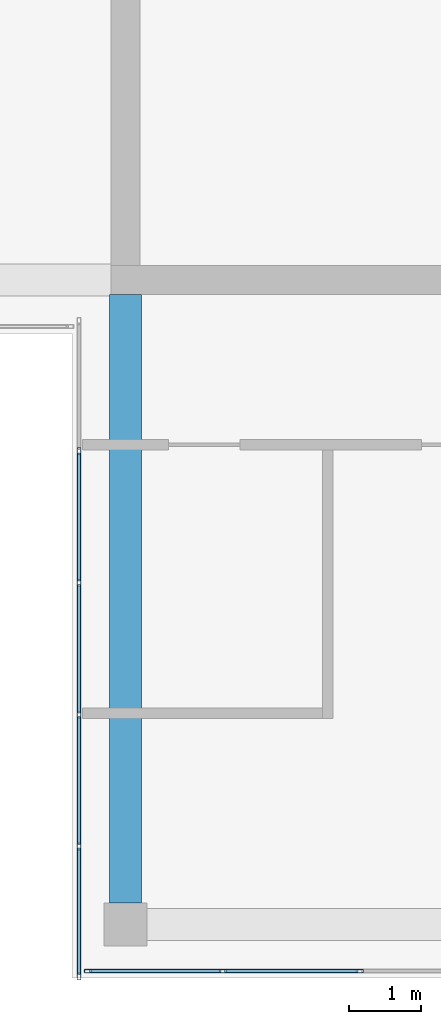
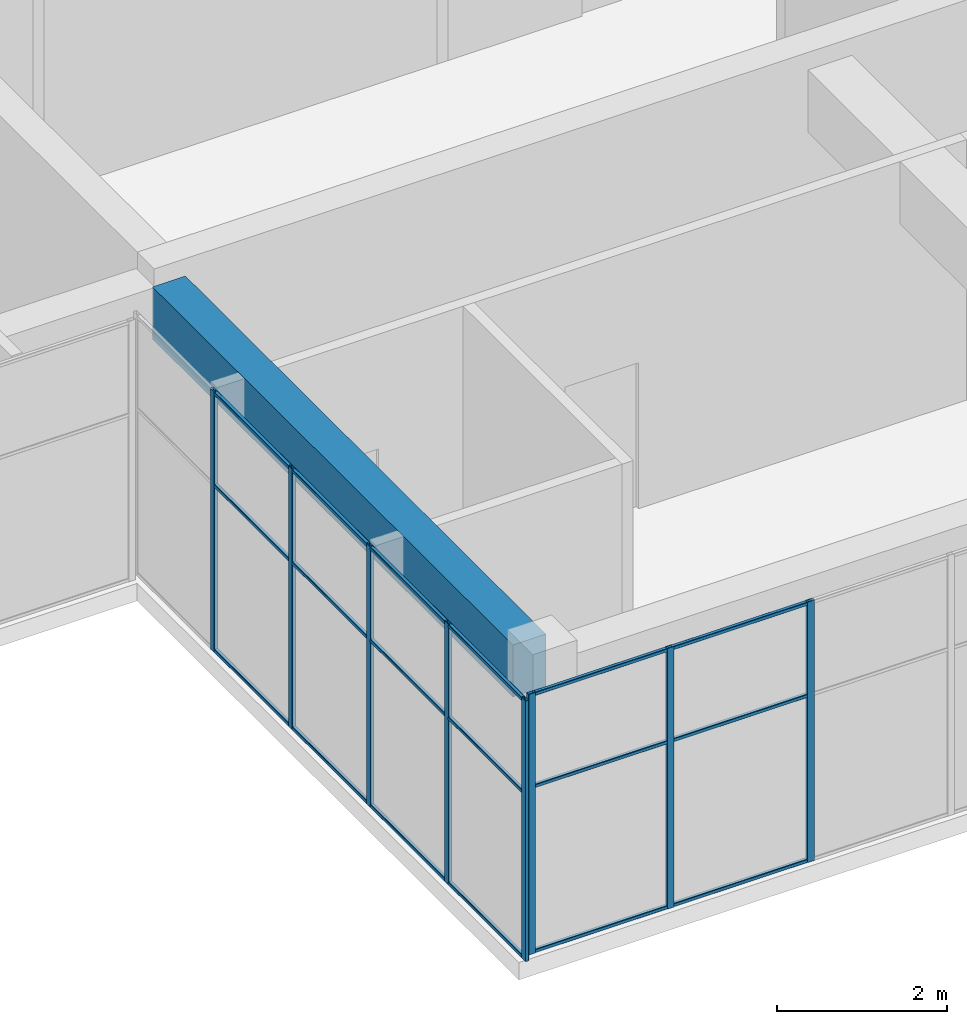
# One storey, part 2 of 35: 26 members, 1 beam, 2 elements without a shape of their own.
"""IFC4 building model written with IfcOpenShell, lengths in metres."""

from ifc_helpers import new_model, si_unit, direction, frame, origin, origin_2d, place, context, subcontext, project, spatial, rectangle, hollow_rectangle, extrude, material, layer, layer_set, material_profile, profile_set, type_object, element, aggregate, save


model = new_model("IFC4")

# Units and contexts
model_context = context("Model", 3, precision=1e-05, world=origin(), true_north=direction((0.0, 1.0)))
body_context = subcontext(model_context, "Body", "Model", "MODEL_VIEW")
ifc_project = project(units=[si_unit("LENGTHUNIT", "METRE"), si_unit("AREAUNIT", "SQUARE_METRE"), si_unit("VOLUMEUNIT", "CUBIC_METRE"), si_unit("PLANEANGLEUNIT", "RADIAN"), si_unit("MASSUNIT", "GRAM", prefix="KILO")], contexts=[model_context])

# Site, building, storey
site_placement = place(None, origin())
site = spatial("IfcSite", under=ifc_project, at=site_placement, CompositionType="ELEMENT")
building_placement = place(site_placement, origin())
building = spatial("IfcBuilding", under=site, at=building_placement, Name="Tuart Plaza Theatre", CompositionType="ELEMENT")
storey_placement = place(building_placement, frame((0.0, 0.0, 45.5)))
storey = spatial("IfcBuildingStorey", under=building, at=storey_placement, Name="L11", CompositionType="ELEMENT", Elevation=45.5)

# Beam
ifc_material_1 = material(Name="Concrete N40 (40 MPa)", Category="concrete")
ifc_material_profile_1 = material_profile(ifc_material_1, rectangle(XDim=0.449951171875, YDim=0.75, at=origin_2d()), Name="BEAM 450x750 Concrete N40 (40 MPa)")
ifc_profile_set_1 = profile_set([ifc_material_profile_1], Name="Concrete N40 (40 MPa)")
beam_type = type_object("IfcBeamType", Name="BEAM 450x750 Concrete N40 (40 MPa)", PredefinedType="BEAM", material=ifc_profile_set_1)
beam_placement = place(storey_placement, frame((123.0, 56.300048828125, 3.375), z_axis=(0.0, 1.0, 0.0), x_axis=(-1.0, 0.0, 0.0)))
element("IfcBeam", 1, at=beam_placement, inside=storey, type_object=beam_type, Name="RB296", PredefinedType="BEAM", context=body_context, shape_type="SweptSolid", body=[
    extrude(rectangle(XDim=0.449951171875, YDim=0.75, at=origin_2d()), origin(), (0.0, 0.0, 1.0), 8.5),
])

# Curtain wall, members
ifc_material_2 = material(Name="Aluminium and glass", Category="aluminium")
ifc_layer = layer(ifc_material_2, 0.10009765625)
ifc_layer_set = layer_set([ifc_layer], Name="CURTAIN WALL 2000 module")
curtain_wall_type = type_object("IfcCurtainWallType", Name="CURTAIN WALL 2000 module", PredefinedType="NOTDEFINED", material=ifc_layer_set)
curtain_wall_1_placement = place(storey_placement, origin())
curtain_wall_1 = element("IfcCurtainWall", 2, at=curtain_wall_1_placement, inside=storey, type_object=curtain_wall_type, Name="CW110", PredefinedType="NOTDEFINED")
ifc_material_3 = material(Name="Aluminium 6063-T5", Category="aluminium")
ifc_material_profile_2 = material_profile(ifc_material_3, hollow_rectangle(XDim=0.050048828125, YDim=0.10009765625, WallThickness=0.00390625, InnerFilletRadius=0.00390625, OuterFilletRadius=0.008056640625, at=origin_2d()), Name="RHS 100x50x4")
ifc_profile_set_2 = profile_set([ifc_material_profile_2], Name="Aluminium 6063-T5")
member_type_1 = type_object("IfcMemberType", Name="MULLION RHS 100x50x4", PredefinedType="MULLION", material=ifc_profile_set_2)
member_1_placement = place(storey_placement, frame((122.35009765625, 62.610107421875, 0.0), z_axis=(0.0, 0.0, 1.0), x_axis=(1.0, 0.0, 0.0)))
member_1 = element("IfcMember", 3, at=member_1_placement, type_object=member_type_1, Name="CW110 mullion 2", PredefinedType="MULLION", context=body_context, shape_type="SweptSolid", body=[
    extrude(hollow_rectangle(XDim=0.050048828125, YDim=0.10009765625, WallThickness=0.00390625, InnerFilletRadius=0.00390625, OuterFilletRadius=0.008056640625, at=origin_2d()), origin(), (0.0, 0.0, 1.0), 3.75),
])
member_2_placement = place(storey_placement, frame((122.35009765625, 60.77001953125, 0.0), z_axis=(0.0, 0.0, 1.0), x_axis=(1.0, 0.0, 0.0)))
member_2 = element("IfcMember", 4, at=member_2_placement, type_object=member_type_1, Name="CW110 mullion 3", PredefinedType="MULLION", context=body_context, shape_type="SweptSolid", body=[
    extrude(hollow_rectangle(XDim=0.050048828125, YDim=0.10009765625, WallThickness=0.00390625, InnerFilletRadius=0.00390625, OuterFilletRadius=0.008056640625, at=origin_2d()), origin(), (0.0, 0.0, 1.0), 3.75),
])
member_3_placement = place(storey_placement, frame((122.35009765625, 58.929931640625, 0.0), z_axis=(0.0, 0.0, 1.0), x_axis=(1.0, 0.0, 0.0)))
member_3 = element("IfcMember", 5, at=member_3_placement, type_object=member_type_1, Name="CW110 mullion 4", PredefinedType="MULLION", context=body_context, shape_type="SweptSolid", body=[
    extrude(hollow_rectangle(XDim=0.050048828125, YDim=0.10009765625, WallThickness=0.00390625, InnerFilletRadius=0.00390625, OuterFilletRadius=0.008056640625, at=origin_2d()), origin(), (0.0, 0.0, 1.0), 3.75),
])
member_4_placement = place(storey_placement, frame((122.35009765625, 57.090087890625, 0.0), z_axis=(0.0, 0.0, 1.0), x_axis=(1.0, 0.0, 0.0)))
member_4 = element("IfcMember", 6, at=member_4_placement, type_object=member_type_1, Name="CW110 mullion 5", PredefinedType="MULLION", context=body_context, shape_type="SweptSolid", body=[
    extrude(hollow_rectangle(XDim=0.050048828125, YDim=0.10009765625, WallThickness=0.00390625, InnerFilletRadius=0.00390625, OuterFilletRadius=0.008056640625, at=origin_2d()), origin(), (0.0, 0.0, 1.0), 3.75),
])
member_5_placement = place(storey_placement, frame((122.35009765625, 55.27490234375, 0.0), z_axis=(0.0, 0.0, 1.0), x_axis=(1.0, 0.0, 0.0)))
member_5 = element("IfcMember", 7, at=member_5_placement, type_object=member_type_1, Name="CW110 mullion 6", PredefinedType="MULLION", context=body_context, shape_type="SweptSolid", body=[
    extrude(hollow_rectangle(XDim=0.050048828125, YDim=0.10009765625, WallThickness=0.00390625, InnerFilletRadius=0.00390625, OuterFilletRadius=0.008056640625, at=origin_2d()), origin(), (0.0, 0.0, 1.0), 3.75),
])

curtain_wall_2_placement = place(storey_placement, origin())
curtain_wall_2 = element("IfcCurtainWall", 8, at=curtain_wall_2_placement, inside=storey, type_object=curtain_wall_type, Name="CW111", PredefinedType="NOTDEFINED")
member_6_placement = place(storey_placement, frame((122.47509765625, 55.35009765625, 0.0), z_axis=(0.0, 0.0, 1.0), x_axis=(0.0, 1.0, 0.0)))
member_6 = element("IfcMember", 9, at=member_6_placement, type_object=member_type_1, Name="CW111 mullion 1", PredefinedType="MULLION", context=body_context, shape_type="SweptSolid", body=[
    extrude(hollow_rectangle(XDim=0.050048828125, YDim=0.10009765625, WallThickness=0.00390625, InnerFilletRadius=0.00390625, OuterFilletRadius=0.008056640625, at=origin_2d()), origin(), (0.0, 0.0, 1.0), 3.75),
])
member_7_placement = place(storey_placement, frame((124.360107421875, 55.35009765625, 0.0), z_axis=(0.0, 0.0, 1.0), x_axis=(0.0, 1.0, 0.0)))
member_7 = element("IfcMember", 10, at=member_7_placement, type_object=member_type_1, Name="CW111 mullion 2", PredefinedType="MULLION", context=body_context, shape_type="SweptSolid", body=[
    extrude(hollow_rectangle(XDim=0.050048828125, YDim=0.10009765625, WallThickness=0.00390625, InnerFilletRadius=0.00390625, OuterFilletRadius=0.008056640625, at=origin_2d()), origin(), (0.0, 0.0, 1.0), 3.75),
])
member_8_placement = place(storey_placement, frame((126.27001953125, 55.35009765625, 0.0), z_axis=(0.0, 0.0, 1.0), x_axis=(0.0, 1.0, 0.0)))
member_8 = element("IfcMember", 11, at=member_8_placement, type_object=member_type_1, Name="CW111 mullion 3", PredefinedType="MULLION", context=body_context, shape_type="SweptSolid", body=[
    extrude(hollow_rectangle(XDim=0.050048828125, YDim=0.10009765625, WallThickness=0.00390625, InnerFilletRadius=0.00390625, OuterFilletRadius=0.008056640625, at=origin_2d()), origin(), (0.0, 0.0, 1.0), 3.75),
])

# Member
ifc_material_4 = material(Name="Aluminium 6063-T5", Category="aluminium")
ifc_material_profile_3 = material_profile(ifc_material_4, hollow_rectangle(XDim=0.050048828125, YDim=0.050048828125, WallThickness=0.00390625, InnerFilletRadius=0.00390625, OuterFilletRadius=0.008056640625, at=origin_2d()), Name="RHS 50x50x4")
ifc_profile_set_3 = profile_set([ifc_material_profile_3], Name="Aluminium 6063-T5")
member_type_2 = type_object("IfcMemberType", Name="TRANSOM RHS 50x50x4", PredefinedType="USERDEFINED", material=ifc_profile_set_3)
member_9_placement = place(storey_placement, frame((122.35009765625, 62.5849609375, 0.02490234375), z_axis=(0.0, -1.0, 0.0), x_axis=(1.0, 0.0, 0.0)))
member_9 = element("IfcMember", 12, at=member_9_placement, type_object=member_type_2, Name="CW110 transom 2.1", ObjectType="TRANSOM", PredefinedType="USERDEFINED", context=body_context, shape_type="SweptSolid", body=[
    extrude(hollow_rectangle(XDim=0.050048828125, YDim=0.050048828125, WallThickness=0.00390625, InnerFilletRadius=0.00390625, OuterFilletRadius=0.008056640625, at=origin_2d()), origin(), (0.0, 0.0, 1.0), 1.7900390625),
])

member_10_placement = place(storey_placement, frame((122.35009765625, 62.5849609375, 2.39990234375), z_axis=(0.0, -1.0, 0.0), x_axis=(1.0, 0.0, 0.0)))
member_10 = element("IfcMember", 13, at=member_10_placement, type_object=member_type_2, Name="CW110 transom 2.2", ObjectType="TRANSOM", PredefinedType="USERDEFINED", context=body_context, shape_type="SweptSolid", body=[
    extrude(hollow_rectangle(XDim=0.050048828125, YDim=0.050048828125, WallThickness=0.00390625, InnerFilletRadius=0.00390625, OuterFilletRadius=0.008056640625, at=origin_2d()), origin(), (0.0, 0.0, 1.0), 1.7900390625),
])

member_11_placement = place(storey_placement, frame((122.35009765625, 62.5849609375, 3.72509765625), z_axis=(0.0, -1.0, 0.0), x_axis=(1.0, 0.0, 0.0)))
member_11 = element("IfcMember", 14, at=member_11_placement, type_object=member_type_2, Name="CW110 transom 2.3", ObjectType="TRANSOM", PredefinedType="USERDEFINED", context=body_context, shape_type="SweptSolid", body=[
    extrude(hollow_rectangle(XDim=0.050048828125, YDim=0.050048828125, WallThickness=0.00390625, InnerFilletRadius=0.00390625, OuterFilletRadius=0.008056640625, at=origin_2d()), origin(), (0.0, 0.0, 1.0), 1.7900390625),
])

member_12_placement = place(storey_placement, frame((122.35009765625, 60.7451171875, 0.02490234375), z_axis=(0.0, -1.0, 0.0), x_axis=(1.0, 0.0, 0.0)))
member_12 = element("IfcMember", 15, at=member_12_placement, type_object=member_type_2, Name="CW110 transom 3.1", ObjectType="TRANSOM", PredefinedType="USERDEFINED", context=body_context, shape_type="SweptSolid", body=[
    extrude(hollow_rectangle(XDim=0.050048828125, YDim=0.050048828125, WallThickness=0.00390625, InnerFilletRadius=0.00390625, OuterFilletRadius=0.008056640625, at=origin_2d()), origin(), (0.0, 0.0, 1.0), 1.7900390625),
])

member_13_placement = place(storey_placement, frame((122.35009765625, 60.7451171875, 2.39990234375), z_axis=(0.0, -1.0, 0.0), x_axis=(1.0, 0.0, 0.0)))
member_13 = element("IfcMember", 16, at=member_13_placement, type_object=member_type_2, Name="CW110 transom 3.2", ObjectType="TRANSOM", PredefinedType="USERDEFINED", context=body_context, shape_type="SweptSolid", body=[
    extrude(hollow_rectangle(XDim=0.050048828125, YDim=0.050048828125, WallThickness=0.00390625, InnerFilletRadius=0.00390625, OuterFilletRadius=0.008056640625, at=origin_2d()), origin(), (0.0, 0.0, 1.0), 1.7900390625),
])

member_14_placement = place(storey_placement, frame((122.35009765625, 60.7451171875, 3.72509765625), z_axis=(0.0, -1.0, 0.0), x_axis=(1.0, 0.0, 0.0)))
member_14 = element("IfcMember", 17, at=member_14_placement, type_object=member_type_2, Name="CW110 transom 3.3", ObjectType="TRANSOM", PredefinedType="USERDEFINED", context=body_context, shape_type="SweptSolid", body=[
    extrude(hollow_rectangle(XDim=0.050048828125, YDim=0.050048828125, WallThickness=0.00390625, InnerFilletRadius=0.00390625, OuterFilletRadius=0.008056640625, at=origin_2d()), origin(), (0.0, 0.0, 1.0), 1.7900390625),
])

member_15_placement = place(storey_placement, frame((122.35009765625, 58.905029296875, 0.02490234375), z_axis=(0.0, -1.0, 0.0), x_axis=(1.0, 0.0, 0.0)))
member_15 = element("IfcMember", 18, at=member_15_placement, type_object=member_type_2, Name="CW110 transom 4.1", ObjectType="TRANSOM", PredefinedType="USERDEFINED", context=body_context, shape_type="SweptSolid", body=[
    extrude(hollow_rectangle(XDim=0.050048828125, YDim=0.050048828125, WallThickness=0.00390625, InnerFilletRadius=0.00390625, OuterFilletRadius=0.008056640625, at=origin_2d()), origin(), (0.0, 0.0, 1.0), 1.7900390625),
])

member_16_placement = place(storey_placement, frame((122.35009765625, 58.905029296875, 2.39990234375), z_axis=(0.0, -1.0, 0.0), x_axis=(1.0, 0.0, 0.0)))
member_16 = element("IfcMember", 19, at=member_16_placement, type_object=member_type_2, Name="CW110 transom 4.2", ObjectType="TRANSOM", PredefinedType="USERDEFINED", context=body_context, shape_type="SweptSolid", body=[
    extrude(hollow_rectangle(XDim=0.050048828125, YDim=0.050048828125, WallThickness=0.00390625, InnerFilletRadius=0.00390625, OuterFilletRadius=0.008056640625, at=origin_2d()), origin(), (0.0, 0.0, 1.0), 1.7900390625),
])

member_17_placement = place(storey_placement, frame((122.35009765625, 58.905029296875, 3.72509765625), z_axis=(0.0, -1.0, 0.0), x_axis=(1.0, 0.0, 0.0)))
member_17 = element("IfcMember", 20, at=member_17_placement, type_object=member_type_2, Name="CW110 transom 4.3", ObjectType="TRANSOM", PredefinedType="USERDEFINED", context=body_context, shape_type="SweptSolid", body=[
    extrude(hollow_rectangle(XDim=0.050048828125, YDim=0.050048828125, WallThickness=0.00390625, InnerFilletRadius=0.00390625, OuterFilletRadius=0.008056640625, at=origin_2d()), origin(), (0.0, 0.0, 1.0), 1.7900390625),
])

member_18_placement = place(storey_placement, frame((122.35009765625, 57.06494140625, 0.02490234375), z_axis=(0.0, -1.0, 0.0), x_axis=(1.0, 0.0, 0.0)))
member_18 = element("IfcMember", 21, at=member_18_placement, type_object=member_type_2, Name="CW110 transom 5.1", ObjectType="TRANSOM", PredefinedType="USERDEFINED", context=body_context, shape_type="SweptSolid", body=[
    extrude(hollow_rectangle(XDim=0.050048828125, YDim=0.050048828125, WallThickness=0.00390625, InnerFilletRadius=0.00390625, OuterFilletRadius=0.008056640625, at=origin_2d()), origin(), (0.0, 0.0, 1.0), 1.764892578125),
])

member_19_placement = place(storey_placement, frame((122.35009765625, 57.06494140625, 2.39990234375), z_axis=(0.0, -1.0, 0.0), x_axis=(1.0, 0.0, 0.0)))
member_19 = element("IfcMember", 22, at=member_19_placement, type_object=member_type_2, Name="CW110 transom 5.2", ObjectType="TRANSOM", PredefinedType="USERDEFINED", context=body_context, shape_type="SweptSolid", body=[
    extrude(hollow_rectangle(XDim=0.050048828125, YDim=0.050048828125, WallThickness=0.00390625, InnerFilletRadius=0.00390625, OuterFilletRadius=0.008056640625, at=origin_2d()), origin(), (0.0, 0.0, 1.0), 1.764892578125),
])

member_20_placement = place(storey_placement, frame((122.35009765625, 57.06494140625, 3.72509765625), z_axis=(0.0, -1.0, 0.0), x_axis=(1.0, 0.0, 0.0)))
member_20 = element("IfcMember", 23, at=member_20_placement, type_object=member_type_2, Name="CW110 transom 5.3", ObjectType="TRANSOM", PredefinedType="USERDEFINED", context=body_context, shape_type="SweptSolid", body=[
    extrude(hollow_rectangle(XDim=0.050048828125, YDim=0.050048828125, WallThickness=0.00390625, InnerFilletRadius=0.00390625, OuterFilletRadius=0.008056640625, at=origin_2d()), origin(), (0.0, 0.0, 1.0), 1.764892578125),
])

aggregate(curtain_wall_1, [member_1, member_2, member_3, member_4, member_5, member_9, member_10, member_11, member_12, member_13, member_14, member_15, member_16, member_17, member_18, member_19, member_20])

member_21_placement = place(storey_placement, frame((122.5, 55.35009765625, 0.02490234375), z_axis=(1.0, 0.0, 0.0), x_axis=(0.0, 1.0, 0.0)))
member_21 = element("IfcMember", 24, at=member_21_placement, type_object=member_type_2, Name="CW111 transom 1.1", ObjectType="TRANSOM", PredefinedType="USERDEFINED", context=body_context, shape_type="SweptSolid", body=[
    extrude(hollow_rectangle(XDim=0.050048828125, YDim=0.050048828125, WallThickness=0.00390625, InnerFilletRadius=0.00390625, OuterFilletRadius=0.008056640625, at=origin_2d()), origin(), (0.0, 0.0, 1.0), 1.8349609375),
])

member_22_placement = place(storey_placement, frame((122.5, 55.35009765625, 2.39990234375), z_axis=(1.0, 0.0, 0.0), x_axis=(0.0, 1.0, 0.0)))
member_22 = element("IfcMember", 25, at=member_22_placement, type_object=member_type_2, Name="CW111 transom 1.2", ObjectType="TRANSOM", PredefinedType="USERDEFINED", context=body_context, shape_type="SweptSolid", body=[
    extrude(hollow_rectangle(XDim=0.050048828125, YDim=0.050048828125, WallThickness=0.00390625, InnerFilletRadius=0.00390625, OuterFilletRadius=0.008056640625, at=origin_2d()), origin(), (0.0, 0.0, 1.0), 1.8349609375),
])

member_23_placement = place(storey_placement, frame((122.5, 55.35009765625, 3.72509765625), z_axis=(1.0, 0.0, 0.0), x_axis=(0.0, 1.0, 0.0)))
member_23 = element("IfcMember", 26, at=member_23_placement, type_object=member_type_2, Name="CW111 transom 1.3", ObjectType="TRANSOM", PredefinedType="USERDEFINED", context=body_context, shape_type="SweptSolid", body=[
    extrude(hollow_rectangle(XDim=0.050048828125, YDim=0.050048828125, WallThickness=0.00390625, InnerFilletRadius=0.00390625, OuterFilletRadius=0.008056640625, at=origin_2d()), origin(), (0.0, 0.0, 1.0), 1.8349609375),
])

member_24_placement = place(storey_placement, frame((124.385009765625, 55.35009765625, 0.02490234375), z_axis=(1.0, 0.0, 0.0), x_axis=(0.0, 1.0, 0.0)))
member_24 = element("IfcMember", 27, at=member_24_placement, type_object=member_type_2, Name="CW111 transom 2.1", ObjectType="TRANSOM", PredefinedType="USERDEFINED", context=body_context, shape_type="SweptSolid", body=[
    extrude(hollow_rectangle(XDim=0.050048828125, YDim=0.050048828125, WallThickness=0.00390625, InnerFilletRadius=0.00390625, OuterFilletRadius=0.008056640625, at=origin_2d()), origin(), (0.0, 0.0, 1.0), 1.860107421875),
])

member_25_placement = place(storey_placement, frame((124.385009765625, 55.35009765625, 2.39990234375), z_axis=(1.0, 0.0, 0.0), x_axis=(0.0, 1.0, 0.0)))
member_25 = element("IfcMember", 28, at=member_25_placement, type_object=member_type_2, Name="CW111 transom 2.2", ObjectType="TRANSOM", PredefinedType="USERDEFINED", context=body_context, shape_type="SweptSolid", body=[
    extrude(hollow_rectangle(XDim=0.050048828125, YDim=0.050048828125, WallThickness=0.00390625, InnerFilletRadius=0.00390625, OuterFilletRadius=0.008056640625, at=origin_2d()), origin(), (0.0, 0.0, 1.0), 1.860107421875),
])

member_26_placement = place(storey_placement, frame((124.385009765625, 55.35009765625, 3.72509765625), z_axis=(1.0, 0.0, 0.0), x_axis=(0.0, 1.0, 0.0)))
member_26 = element("IfcMember", 29, at=member_26_placement, type_object=member_type_2, Name="CW111 transom 2.3", ObjectType="TRANSOM", PredefinedType="USERDEFINED", context=body_context, shape_type="SweptSolid", body=[
    extrude(hollow_rectangle(XDim=0.050048828125, YDim=0.050048828125, WallThickness=0.00390625, InnerFilletRadius=0.00390625, OuterFilletRadius=0.008056640625, at=origin_2d()), origin(), (0.0, 0.0, 1.0), 1.860107421875),
])

aggregate(curtain_wall_2, [member_6, member_7, member_8, member_21, member_22, member_23, member_24, member_25, member_26])

save(model, "model.ifc")
